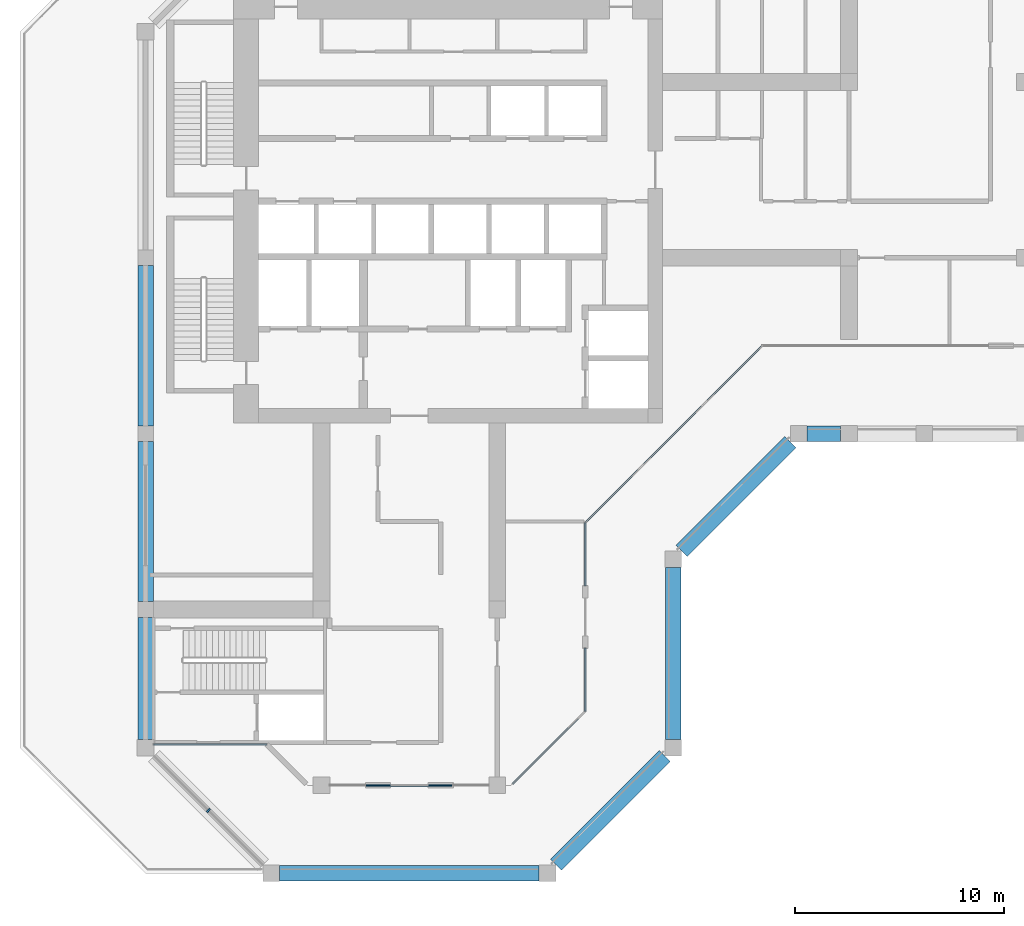
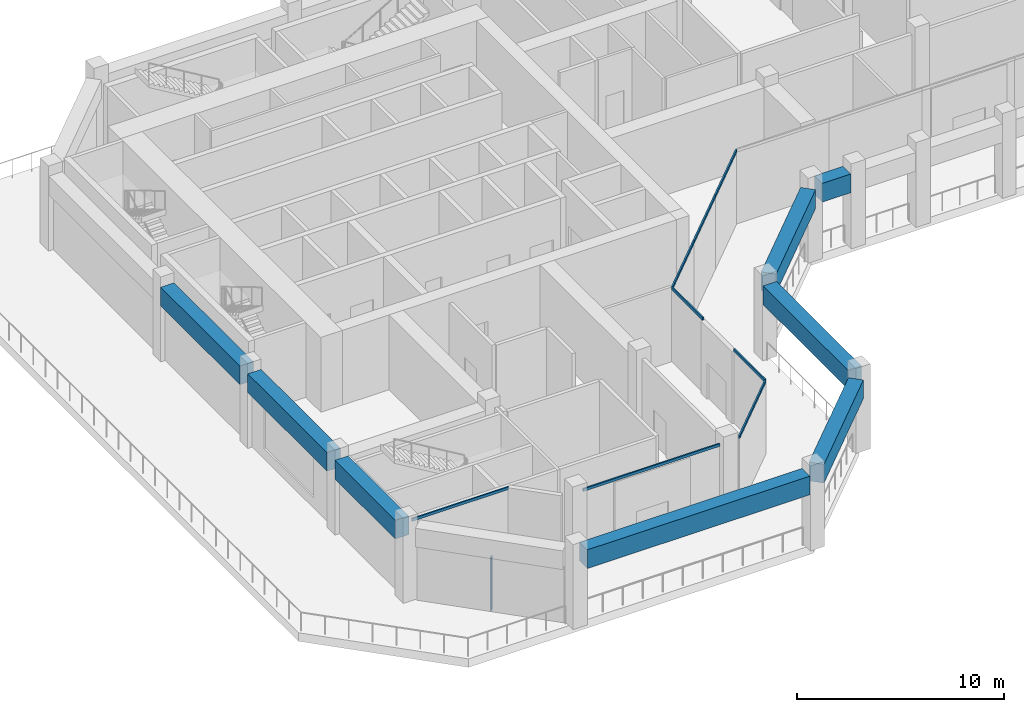
# One storey, part 2 of 16: 9 members, 8 beams, 6 elements without a shape of their own.
"""IFC4 building model written with IfcOpenShell, lengths in metres."""

from ifc_helpers import new_model, si_unit, direction, frame, origin, origin_2d, place, context, subcontext, project, spatial, rectangle, extrude, material, layer, layer_set, material_profile, profile_set, type_object, element, aggregate, save


model = new_model("IFC4")

# Units and contexts
model_context = context("Model", 3, precision=1e-05, world=origin(), true_north=direction((0.0, 1.0)))
body_context = subcontext(model_context, "Body", "Model", "MODEL_VIEW")
ifc_project = project(units=[si_unit("LENGTHUNIT", "METRE"), si_unit("AREAUNIT", "SQUARE_METRE"), si_unit("VOLUMEUNIT", "CUBIC_METRE"), si_unit("PLANEANGLEUNIT", "RADIAN"), si_unit("MASSUNIT", "GRAM", prefix="KILO")], contexts=[model_context])

# Site, building, storey
site_placement = place(None, origin())
site = spatial("IfcSite", under=ifc_project, at=site_placement, CompositionType="ELEMENT")
building_placement = place(site_placement, origin())
building = spatial("IfcBuilding", under=site, at=building_placement, Name="Kawkab Arch Medical Tower", CompositionType="ELEMENT")
storey_placement = place(building_placement, frame((0.0, 0.0, 272.60009765625)))
storey = spatial("IfcBuildingStorey", under=building, at=storey_placement, Name="L63", CompositionType="ELEMENT", Elevation=272.60009765625)

# Curtain wall, member
ifc_material_1 = material(Name="Bronze anodised aluminium curtain wall frame", Category="aluminium")
ifc_layer = layer(ifc_material_1, 0.159912109375)
ifc_layer_set = layer_set([ifc_layer], Name="Bronze anodised aluminium curtain wall frame")
curtain_wall_type = type_object("IfcCurtainWallType", Name="CW4 refuge floor fire-protected glazing", PredefinedType="NOTDEFINED", material=ifc_layer_set)
placement = place(storey_placement, origin())
curtain_wall_1 = element("IfcCurtainWall", 1, at=placement, inside=storey, type_object=curtain_wall_type, Name="CW4 Refuge floor fire-protected glazing R04", PredefinedType="NOTDEFINED")
ifc_material_2 = material(Name="Bronze anodised aluminium curtain wall frame", Category="aluminium")
ifc_material_profile_1 = material_profile(ifc_material_2, rectangle(XDim=0.199951171875, YDim=0.080078125, at=origin_2d()), Name="AL 80x200")
ifc_profile_set_1 = profile_set([ifc_material_profile_1], Name="Bronze anodised aluminium curtain wall frame")
member_type_1 = type_object("IfcMemberType", Name="CW4 mullion 80 x 200", PredefinedType="MULLION", material=ifc_profile_set_1)
member_1_placement = place(storey_placement, frame((3.0, -43.199951171875, 0.0), z_axis=(0.0, 0.0, 1.0), x_axis=(-0.707106781187, -0.707106781187, 0.0)))
member_1 = element("IfcMember", 2, at=member_1_placement, type_object=member_type_1, Name="CW4 mullion 1.1", PredefinedType="MULLION", context=body_context, shape_type="SweptSolid", body=[
    extrude(rectangle(XDim=0.199951171875, YDim=0.080078125, at=origin_2d()), origin(), (0.0, 0.0, 1.0), 3.139892578125),
])
aggregate(curtain_wall_1, [member_1])

curtain_wall_2 = element("IfcCurtainWall", 3, at=placement, inside=storey, type_object=curtain_wall_type, Name="CW4 Refuge floor fire-protected glazing R07", PredefinedType="NOTDEFINED")
ifc_material_3 = material(Name="Bronze anodised aluminium curtain wall frame", Category="aluminium")
ifc_material_profile_2 = material_profile(ifc_material_3, rectangle(XDim=0.080078125, YDim=0.159912109375, at=origin_2d()), Name="AL 80x160")
ifc_profile_set_2 = profile_set([ifc_material_profile_2], Name="Bronze anodised aluminium curtain wall frame")
member_type_2 = type_object("IfcMemberType", Name="CW4 transom 160 x 80", PredefinedType="USERDEFINED", material=ifc_profile_set_2)
member_2_placement = place(storey_placement, frame((0.39990234375, -40.050048828125, 4.31982421875), z_axis=(1.0, 0.0, 0.0), x_axis=(0.0, 1.0, 0.0)))
member_2 = element("IfcMember", 4, at=member_2_placement, type_object=member_type_2, Name="CW4 transom 1", ObjectType="TRANSOM", PredefinedType="USERDEFINED", context=body_context, shape_type="SweptSolid", body=[
    extrude(rectangle(XDim=0.080078125, YDim=0.159912109375, at=origin_2d()), origin(), (0.0, 0.0, 1.0), 5.39013671875),
])
aggregate(curtain_wall_2, [member_2])

curtain_wall_3 = element("IfcCurtainWall", 5, at=placement, inside=storey, type_object=curtain_wall_type, Name="CW4 Refuge floor fire-protected glazing R09", PredefinedType="NOTDEFINED")
member_3_placement = place(storey_placement, frame((8.800048828125, -42.0009765625, 4.31982421875), z_axis=(1.0, 0.0, 0.0), x_axis=(0.0, 1.0, 0.0)))
member_3 = element("IfcMember", 6, at=member_3_placement, type_object=member_type_2, Name="CW4 transom 1", ObjectType="TRANSOM", PredefinedType="USERDEFINED", context=body_context, shape_type="SweptSolid", body=[
    extrude(rectangle(XDim=0.080078125, YDim=0.159912109375, at=origin_2d()), origin(), (0.0, 0.0, 1.0), 7.599853515625),
])
aggregate(curtain_wall_3, [member_3])

curtain_wall_4 = element("IfcCurtainWall", 7, at=placement, inside=storey, type_object=curtain_wall_type, Name="CW4 Refuge floor fire-protected glazing R10", PredefinedType="NOTDEFINED")
member_4_placement = place(storey_placement, frame((17.530029296875, -41.929931640625, 4.31982421875), z_axis=(0.707106781187, 0.707106781187, 0.0), x_axis=(-0.707106781187, 0.707106781187, 0.0)))
member_4 = element("IfcMember", 8, at=member_4_placement, type_object=member_type_2, Name="CW4 transom 1", ObjectType="TRANSOM", PredefinedType="USERDEFINED", context=body_context, shape_type="SweptSolid", body=[
    extrude(rectangle(XDim=0.080078125, YDim=0.159912109375, at=origin_2d()), origin(), (0.0, 0.0, 1.0), 4.9072265625),
])
aggregate(curtain_wall_4, [member_4])

# Curtain wall, members
curtain_wall_5 = element("IfcCurtainWall", 9, at=placement, inside=storey, type_object=curtain_wall_type, Name="CW4 Refuge floor fire-protected glazing R11", PredefinedType="NOTDEFINED")
member_5_placement = place(storey_placement, frame((21.0, -38.4599609375, 4.31982421875), z_axis=(0.0, 1.0, 0.0), x_axis=(-1.0, 0.0, 0.0)))
member_5 = element("IfcMember", 10, at=member_5_placement, type_object=member_type_2, Name="CW4 transom 1", ObjectType="TRANSOM", PredefinedType="USERDEFINED", context=body_context, shape_type="SweptSolid", body=[
    extrude(rectangle(XDim=0.080078125, YDim=0.159912109375, at=origin_2d()), origin(), (0.0, 0.0, 1.0), 3.0),
])
member_6_placement = place(storey_placement, frame((21.0, -32.4599609375, 4.31982421875), z_axis=(0.0, 1.0, 0.0), x_axis=(-1.0, 0.0, 0.0)))
member_6 = element("IfcMember", 11, at=member_6_placement, type_object=member_type_2, Name="CW4 transom 3", ObjectType="TRANSOM", PredefinedType="USERDEFINED", context=body_context, shape_type="SweptSolid", body=[
    extrude(rectangle(XDim=0.080078125, YDim=0.159912109375, at=origin_2d()), origin(), (0.0, 0.0, 1.0), 3.0),
])
aggregate(curtain_wall_5, [member_5, member_6])

curtain_wall_6 = element("IfcCurtainWall", 12, at=placement, inside=storey, type_object=curtain_wall_type, Name="CW4 Refuge floor fire-protected glazing R12", PredefinedType="NOTDEFINED")
member_7_placement = place(storey_placement, frame((21.0, -29.4599609375, 4.31982421875), z_axis=(0.707106781187, 0.707106781187, 0.0), x_axis=(-0.707106781187, 0.707106781187, 0.0)))
member_7 = element("IfcMember", 13, at=member_7_placement, type_object=member_type_2, Name="CW4 transom 1", ObjectType="TRANSOM", PredefinedType="USERDEFINED", context=body_context, shape_type="SweptSolid", body=[
    extrude(rectangle(XDim=0.080078125, YDim=0.159912109375, at=origin_2d()), origin(), (0.0, 0.0, 1.0), 3.98828125),
])
member_8_placement = place(storey_placement, frame((23.820068359375, -26.639892578125, 4.31982421875), z_axis=(0.707106781187, 0.707106781187, 0.0), x_axis=(-0.707106781187, 0.707106781187, 0.0)))
member_8 = element("IfcMember", 14, at=member_8_placement, type_object=member_type_2, Name="CW4 transom 2", ObjectType="TRANSOM", PredefinedType="USERDEFINED", context=body_context, shape_type="SweptSolid", body=[
    extrude(rectangle(XDim=0.080078125, YDim=0.159912109375, at=origin_2d()), origin(), (0.0, 0.0, 1.0), 3.98779296875),
])
member_9_placement = place(storey_placement, frame((26.639892578125, -23.820068359375, 4.31982421875), z_axis=(0.707106781187, 0.707106781187, 0.0), x_axis=(-0.707106781187, 0.707106781187, 0.0)))
member_9 = element("IfcMember", 15, at=member_9_placement, type_object=member_type_2, Name="CW4 transom 3", ObjectType="TRANSOM", PredefinedType="USERDEFINED", context=body_context, shape_type="SweptSolid", body=[
    extrude(rectangle(XDim=0.080078125, YDim=0.159912109375, at=origin_2d()), origin(), (0.0, 0.0, 1.0), 3.98828125),
])
aggregate(curtain_wall_6, [member_7, member_8, member_9])

# Beams
ifc_material_4 = material(Name="Concrete C40/50", Category="concrete")
ifc_material_profile_3 = material_profile(ifc_material_4, rectangle(XDim=0.75, YDim=1.10009765625, at=origin_2d()), Name="RC 750x1100")
ifc_profile_set_3 = profile_set([ifc_material_profile_3], Name="Concrete C40/50")
beam_type = type_object("IfcBeamType", Name="RC 750x1100 beam C40/50", PredefinedType="SPANDREL", material=ifc_profile_set_3)
beam_1_placement = place(storey_placement, frame((33.199951171875, -25.199951171875, 3.849853515625), z_axis=(-1.0, 0.0, 0.0), x_axis=(0.0, -1.0, 0.0)))
element("IfcBeam", 16, at=beam_1_placement, inside=storey, type_object=beam_type, Name="Belt beam L63-17", PredefinedType="SPANDREL", context=body_context, shape_type="SweptSolid", body=[
    extrude(rectangle(XDim=0.75, YDim=1.10009765625, at=origin_2d()), origin(), (0.0, 0.0, 1.0), 1.599853515625),
])
beam_2_placement = place(storey_placement, frame((30.800048828125, -25.60009765625, 3.849853515625), z_axis=(-0.707106781187, -0.707106781187, 0.0), x_axis=(0.707106781187, -0.707106781187, 0.0)))
element("IfcBeam", 17, at=beam_2_placement, inside=storey, type_object=beam_type, Name="Belt beam L63-18", PredefinedType="SPANDREL", context=body_context, shape_type="SweptSolid", body=[
    extrude(rectangle(XDim=0.75, YDim=1.10009765625, at=origin_2d()), origin(), (0.0, 0.0, 1.0), 7.353759765625),
])
beam_3_placement = place(storey_placement, frame((25.199951171875, -31.60009765625, 3.849853515625), z_axis=(0.0, -1.0, 0.0), x_axis=(1.0, 0.0, 0.0)))
element("IfcBeam", 18, at=beam_3_placement, inside=storey, type_object=beam_type, Name="Belt beam L63-19", PredefinedType="SPANDREL", context=body_context, shape_type="SweptSolid", body=[
    extrude(rectangle(XDim=0.75, YDim=1.10009765625, at=origin_2d()), origin(), (0.0, 0.0, 1.0), 8.199951171875),
])
beam_4_placement = place(storey_placement, frame((24.800048828125, -40.60009765625, 3.849853515625), z_axis=(-0.707106781187, -0.707106781187, 0.0), x_axis=(0.707106781187, -0.707106781187, 0.0)))
element("IfcBeam", 19, at=beam_4_placement, inside=storey, type_object=beam_type, Name="Belt beam L63-20", PredefinedType="SPANDREL", context=body_context, shape_type="SweptSolid", body=[
    extrude(rectangle(XDim=0.75, YDim=1.10009765625, at=origin_2d()), origin(), (0.0, 0.0, 1.0), 7.353759765625),
])
beam_5_placement = place(storey_placement, frame((18.800048828125, -46.199951171875, 3.849853515625), z_axis=(-1.0, 0.0, 0.0), x_axis=(0.0, -1.0, 0.0)))
element("IfcBeam", 20, at=beam_5_placement, inside=storey, type_object=beam_type, Name="Belt beam L63-21", PredefinedType="SPANDREL", context=body_context, shape_type="SweptSolid", body=[
    extrude(rectangle(XDim=0.75, YDim=1.10009765625, at=origin_2d()), origin(), (0.0, 0.0, 1.0), 12.400146484375),
])
beam_6_placement = place(storey_placement, frame((0.0, -39.800048828125, 3.849853515625), z_axis=(0.0, 1.0, 0.0), x_axis=(-1.0, 0.0, 0.0)))
element("IfcBeam", 21, at=beam_6_placement, inside=storey, type_object=beam_type, Name="Belt beam L63-23", PredefinedType="SPANDREL", context=body_context, shape_type="SweptSolid", body=[
    extrude(rectangle(XDim=0.75, YDim=1.10009765625, at=origin_2d()), origin(), (0.0, 0.0, 1.0), 5.824951171875),
])
beam_7_placement = place(storey_placement, frame((0.0, -33.22509765625, 3.849853515625), z_axis=(0.0, 1.0, 0.0), x_axis=(-1.0, 0.0, 0.0)))
element("IfcBeam", 22, at=beam_7_placement, inside=storey, type_object=beam_type, Name="Belt beam L63-24", PredefinedType="SPANDREL", context=body_context, shape_type="SweptSolid", body=[
    extrude(rectangle(XDim=0.75, YDim=1.10009765625, at=origin_2d()), origin(), (0.0, 0.0, 1.0), 7.650146484375),
])
beam_8_placement = place(storey_placement, frame((0.0, -24.824951171875, 3.849853515625), z_axis=(0.0, 1.0, 0.0), x_axis=(-1.0, 0.0, 0.0)))
element("IfcBeam", 23, at=beam_8_placement, inside=storey, type_object=beam_type, Name="Belt beam L63-25", PredefinedType="SPANDREL", context=body_context, shape_type="SweptSolid", body=[
    extrude(rectangle(XDim=0.75, YDim=1.10009765625, at=origin_2d()), origin(), (0.0, 0.0, 1.0), 7.64990234375),
])

save(model, "model.ifc")
